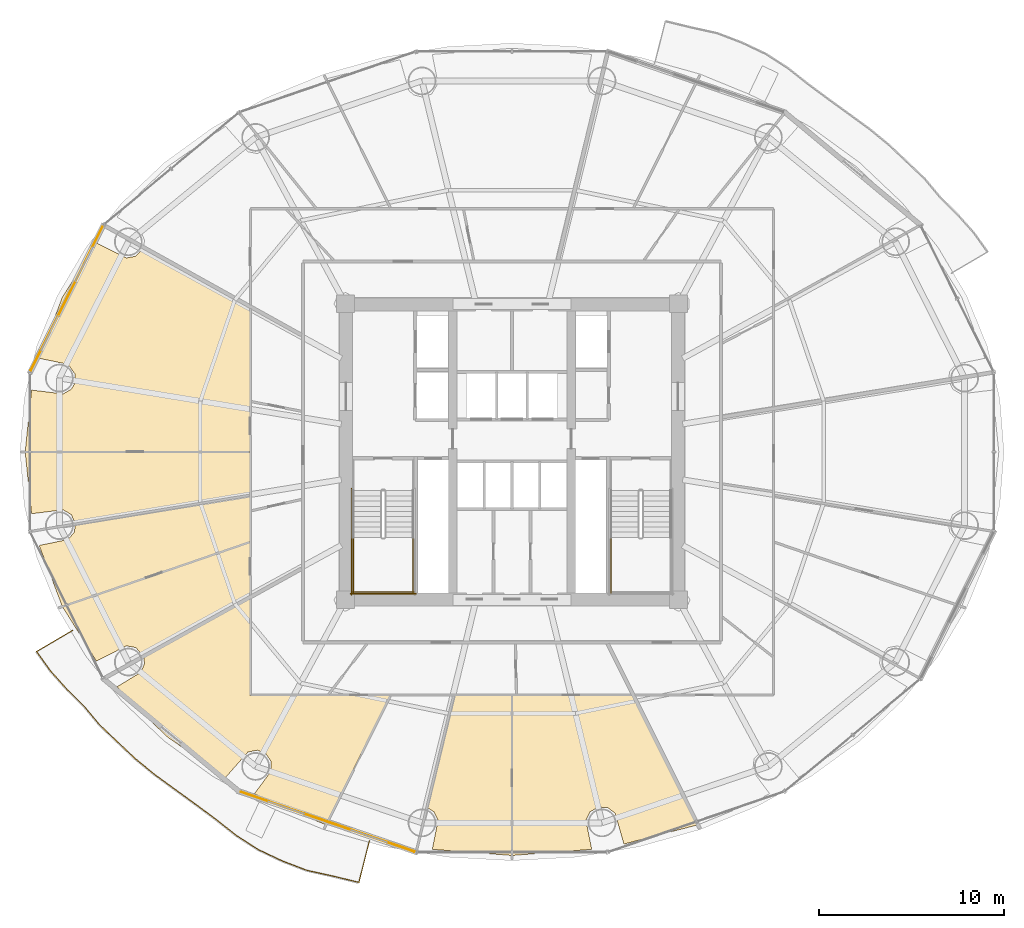
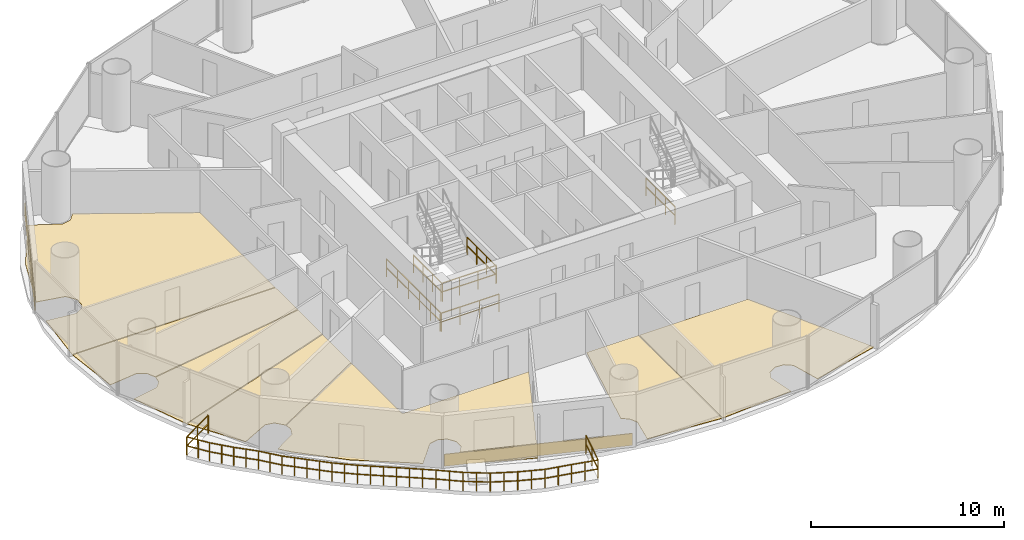
# One storey, part 25 of 28: 9 coverings, 7 railings.
"""IFC4 building model written with IfcOpenShell, lengths in metres."""

import ifcopenshell
import ifcopenshell.guid

model = None  # the IFC model being written
_history = None  # IfcOwnerHistory: only IFC2X3 demands one
_inside = {}  # id of a spatial element -> (the spatial element, [elements in it])
_under = {}  # id of a project, library or spatial element -> (it, [spatial elements below it])
_declared = {}  # id of a project -> (the project, [libraries it declares])
_typed = {}  # id of a type object -> (the type object, [elements of that type])
_made_of = {}  # id of a material, layer set ... -> (it, [elements and type objects made of it])


def new_model(schema):
    """Start an empty IFC model of exactly this schema.

    Asked for "IFC4X3", IfcOpenShell would pick the latest addendum, in which some entities
    have other attributes; the version numbers below select the first issue.
    IFC2X3 requires an IfcOwnerHistory on every rooted entity: one is made here for all.
    """
    global model, _history
    if schema == "IFC4X3":
        model = ifcopenshell.file(schema_version=(4, 3, 0, 0))
    else:
        model = ifcopenshell.file(schema=schema)
    _inside.clear()
    _under.clear()
    _declared.clear()
    _typed.clear()
    _made_of.clear()
    _history = None
    if model.schema == "IFC2X3":
        org = make("IfcOrganization", Name="unknown")
        user = make(
            "IfcPersonAndOrganization",
            ThePerson=make("IfcPerson", FamilyName="unknown"),
            TheOrganization=org,
        )
        app = make(
            "IfcApplication",
            ApplicationDeveloper=org,
            Version="unknown",
            ApplicationFullName="unknown",
            ApplicationIdentifier="unknown",
        )
        _history = make(
            "IfcOwnerHistory",
            OwningUser=user,
            OwningApplication=app,
            ChangeAction="ADDED",
            CreationDate=0,
        )
    return model


def make(cls, **values):
    """One entity of the class cls with the attributes given. An attribute that is None is left unset."""
    return model.create_entity(
        cls, **{name: value for name, value in values.items() if value is not None}
    )


def rooted(cls, **values):
    """An entity with a GlobalId (a new one), such as an element, a storey or a relation."""
    return make(cls, GlobalId=ifcopenshell.guid.new(), OwnerHistory=_history, **values)


def si_unit(unit_type, name, prefix=None):
    """IfcSIUnit, for example si_unit("LENGTHUNIT", "METRE", prefix="MILLI")."""
    return make("IfcSIUnit", UnitType=unit_type, Prefix=prefix, Name=name)


def assignment(units):
    """IfcUnitAssignment: the units of a project."""
    return None if units is None else make("IfcUnitAssignment", Units=units)


def point(xyz):
    """IfcCartesianPoint."""
    return None if xyz is None else make("IfcCartesianPoint", Coordinates=xyz)


def direction(xyz):
    """IfcDirection."""
    return None if xyz is None else make("IfcDirection", DirectionRatios=xyz)


def frame(location, z_axis=None, x_axis=None):
    """IfcAxis2Placement3D, a coordinate frame: its origin and axes. An axis left out is left unset."""
    return make(
        "IfcAxis2Placement3D",
        Location=point(location),
        Axis=direction(z_axis),
        RefDirection=direction(x_axis),
    )


def frame_2d(location, x_axis=None):
    """IfcAxis2Placement2D, a coordinate frame in the plane: its origin and x axis."""
    return make(
        "IfcAxis2Placement2D", Location=point(location), RefDirection=direction(x_axis)
    )


def origin():
    """The frame at (0, 0, 0) with its axes left unset."""
    return frame((0.0, 0.0, 0.0))


def origin_2d():
    """The frame at (0, 0) in the plane with its x axis left unset."""
    return frame_2d((0.0, 0.0))


def place(relative_to, where):
    """IfcLocalPlacement: puts the frame where relative to a parent placement (None: the world)."""
    return make(
        "IfcLocalPlacement", PlacementRelTo=relative_to, RelativePlacement=where
    )


def context(
    kind, dimensions, precision=None, world=None, true_north=None, identifier=None
):
    """IfcGeometricRepresentationContext, for example the 3D "Model" context."""
    return make(
        "IfcGeometricRepresentationContext",
        ContextIdentifier=identifier,
        ContextType=kind,
        CoordinateSpaceDimension=dimensions,
        Precision=precision,
        WorldCoordinateSystem=world,
        TrueNorth=true_north,
    )


def subcontext(parent, identifier, kind, view, scale=None):
    """IfcGeometricRepresentationSubContext, for example "Body" below "Model"."""
    return make(
        "IfcGeometricRepresentationSubContext",
        ContextIdentifier=identifier,
        ContextType=kind,
        ParentContext=parent,
        TargetScale=scale,
        TargetView=view,
    )


def project(units=None, contexts=None):
    """IfcProject with its units and contexts."""
    return rooted(
        "IfcProject",
        Name="project",
        RepresentationContexts=contexts,
        UnitsInContext=assignment(units),
    )


def spatial(cls, under=None, at=None, **own):
    """A site, building, storey or space (cls), placed at a placement, below another one or the project."""
    s = rooted(cls, ObjectPlacement=at, **own)
    if under is not None:
        _under.setdefault(under.id(), (under, []))[1].append(s)
    return s


def polyline(points):
    """IfcPolyline through the points."""
    return make("IfcPolyline", Points=[point(p) for p in points])


def profile(cls, at=None, kind="AREA", **sizes):
    """A parametric profile (cls). Its sizes go by their IFC names, for example OverallWidth=200.0."""
    return make(cls, ProfileType=kind, Position=at, **sizes)


def rectangle(**sizes):
    """IfcRectangleProfileDef."""
    return profile("IfcRectangleProfileDef", **sizes)


def outline(outer, holes=None, kind="AREA"):
    """IfcArbitraryClosedProfileDef: a profile drawn as a closed curve; with holes, ...WithVoids."""
    if holes is None:
        return make("IfcArbitraryClosedProfileDef", ProfileType=kind, OuterCurve=outer)
    return make(
        "IfcArbitraryProfileDefWithVoids",
        ProfileType=kind,
        OuterCurve=outer,
        InnerCurves=holes,
    )


def extrude(swept, where, along, depth):
    """IfcExtrudedAreaSolid: the profile swept, set in the frame where, extruded along a direction by depth."""
    return make(
        "IfcExtrudedAreaSolid",
        SweptArea=swept,
        Position=where,
        ExtrudedDirection=direction(along),
        Depth=depth,
    )


def shape(context_of_items, identifier, shape_type, items):
    """IfcShapeRepresentation: the items that make up one representation, for example the "Body"."""
    return make(
        "IfcShapeRepresentation",
        ContextOfItems=context_of_items,
        RepresentationIdentifier=identifier,
        RepresentationType=shape_type,
        Items=items,
    )


def source(mapping_origin, context_of_items, identifier, shape_type, items):
    """IfcRepresentationMap: a shape defined once, which mapped items show again and again."""
    return make(
        "IfcRepresentationMap",
        MappingOrigin=mapping_origin,
        MappedRepresentation=shape(context_of_items, identifier, shape_type, items),
    )


def transform(
    local_origin,
    x_axis=None,
    y_axis=None,
    z_axis=None,
    scale=None,
    scale2=None,
    scale3=None,
    uniform=True,
):
    """IfcCartesianTransformationOperator3D, or its non-uniform kind. x_axis, y_axis, z_axis: its Axis1, 2, 3."""
    if uniform:
        return make(
            "IfcCartesianTransformationOperator3D",
            Axis1=direction(x_axis),
            Axis2=direction(y_axis),
            LocalOrigin=point(local_origin),
            Scale=scale,
            Axis3=direction(z_axis),
        )
    return make(
        "IfcCartesianTransformationOperator3DnonUniform",
        Axis1=direction(x_axis),
        Axis2=direction(y_axis),
        LocalOrigin=point(local_origin),
        Scale=scale,
        Axis3=direction(z_axis),
        Scale2=scale2,
        Scale3=scale3,
    )


def mapped(mapping_source, mapping_target):
    """IfcMappedItem: shows the shape of a source again, moved by a transform."""
    return make(
        "IfcMappedItem", MappingSource=mapping_source, MappingTarget=mapping_target
    )


def material(Name=None, Category=None):
    """IfcMaterial."""
    return make("IfcMaterial", Name=Name, Category=Category)


def layer(
    of_material, thickness, ventilated=None, Name=None, Category=None, Priority=None
):
    """IfcMaterialLayer: one layer of a wall or slab, of a material (None: an air gap)."""
    return make(
        "IfcMaterialLayer",
        Material=of_material,
        LayerThickness=thickness,
        IsVentilated=ventilated,
        Name=Name,
        Category=Category,
        Priority=Priority,
    )


def layer_set(layers, Name=None):
    """IfcMaterialLayerSet."""
    return make("IfcMaterialLayerSet", MaterialLayers=layers, LayerSetName=Name)


def made_of(thing, what):
    """Note that an element or type object is made of a material, layer set ...; save() writes the relation."""
    if what is not None:
        _made_of.setdefault(what.id(), (what, []))[1].append(thing)
    return thing


def type_object(cls, material=None, **own):
    """A type object (cls), such as IfcWallType, which elements share."""
    return made_of(rooted(cls, **own), material)


def element(
    cls,
    number,
    at=None,
    inside=None,
    cuts=None,
    type_object=None,
    material=None,
    context=None,
    identifier="Body",
    shape_type=None,
    held_by="IfcProductDefinitionShape",
    body=None,
    shapes=None,
    **own,
):
    """One element of the class cls, such as IfcWall. Its Tag is "e" and its number.

    at: its placement. inside: the storey or other place that contains it. cuts: it is an
    opening in that element (IfcRelVoidsElement). A single representation is given by context,
    identifier, shape_type and body (its items); several are given by shapes. held_by: the class
    of the entity that holds the representations. save() writes the other relations.
    """
    e = rooted(cls, Tag="e%d" % number, ObjectPlacement=at, **own)
    if body is not None:
        shapes = [shape(context, identifier, shape_type, body)]
    if shapes is not None:
        e.Representation = make(held_by, Representations=shapes)
    if inside is not None:
        _inside.setdefault(inside.id(), (inside, []))[1].append(e)
    if cuts is not None:
        rooted(
            "IfcRelVoidsElement", RelatingBuildingElement=cuts, RelatedOpeningElement=e
        )
    if type_object is not None:
        _typed.setdefault(type_object.id(), (type_object, []))[1].append(e)
    return made_of(e, material)


def aggregate(whole, parts):
    """IfcRelAggregates: a whole, such as a stair, and the parts it consists of."""
    return rooted("IfcRelAggregates", RelatingObject=whole, RelatedObjects=parts)


def save(model, path):
    """Write the relations noted so far, then the file.

    IfcRelAggregates (storeys below a building ...), IfcRelContainedInSpatialStructure (elements
    in a storey), IfcRelDefinesByType, IfcRelAssociatesMaterial and IfcRelDeclares: one each for
    every whole, place, type object, material and project.
    """
    for whole, parts in _under.values():
        aggregate(whole, parts)
    for where, things in _inside.values():
        rooted(
            "IfcRelContainedInSpatialStructure",
            RelatedElements=things,
            RelatingStructure=where,
        )
    for kind, things in _typed.values():
        rooted("IfcRelDefinesByType", RelatedObjects=things, RelatingType=kind)
    for what, things in _made_of.values():
        rooted("IfcRelAssociatesMaterial", RelatedObjects=things, RelatingMaterial=what)
    for by, libraries in _declared.values():
        rooted("IfcRelDeclares", RelatingContext=by, RelatedDefinitions=libraries)
    model.write(path)


model = new_model("IFC4")

# Units and contexts
model_context = context("Model", 3, precision=1e-05, world=origin(), true_north=direction((-0.2419218956, 0.970295726276)))
body_context = subcontext(model_context, "Body", "Model", "MODEL_VIEW")
ifc_project = project(units=[si_unit("LENGTHUNIT", "METRE"), si_unit("AREAUNIT", "SQUARE_METRE"), si_unit("VOLUMEUNIT", "CUBIC_METRE"), si_unit("PLANEANGLEUNIT", "RADIAN"), si_unit("MASSUNIT", "GRAM", prefix="KILO")], contexts=[model_context])

# Site, building, storey
site_placement = place(None, origin())
site = spatial("IfcSite", under=ifc_project, at=site_placement, CompositionType="ELEMENT")
building_placement = place(site_placement, origin())
building = spatial("IfcBuilding", under=site, at=building_placement, Name="Cobrevalo Terracotta Tower", CompositionType="ELEMENT")
storey_placement = place(building_placement, frame((0.0, 0.0, 105.0)))
storey = spatial("IfcBuildingStorey", under=building, at=storey_placement, Name="L27", CompositionType="ELEMENT", Elevation=105.0)

# Railing
ifc_material_1 = material(Name="Laminated structural glass and stainless steel", Category="steel")
railing_type_1 = type_object("IfcRailingType", Name="Balcony lobe structural glass & terracotta-cap balustrade 1180 mm", PredefinedType="BALUSTRADE", material=ifc_material_1)
railing_1_placement = place(storey_placement, frame((14.238037109375, 17.147216796875, 0.0)))
element("IfcRailing", 1, at=railing_1_placement, inside=storey, type_object=railing_type_1, Name="L27 spiralling balcony lobe balustrade 2", PredefinedType="BALUSTRADE", context=body_context, shape_type="SweptSolid", body=[
    extrude(rectangle(XDim=0.048095703125, YDim=0.048095703125, at=origin_2d()), frame((0.0, 0.0, 1.15576171875), z_axis=(-0.861973214584, -0.506953821703, 0.0), x_axis=(0.506953821703, -0.861973214584, 0.0)), (0.0, 0.0, 1.0), 2.2529296875),
    extrude(rectangle(XDim=0.048095703125, YDim=0.048095703125, at=origin_2d()), frame((0.0, 0.0, 0.58984375), z_axis=(-0.861973214584, -0.506953821703, 0.0), x_axis=(0.506953821703, -0.861973214584, 0.0)), (0.0, 0.0, 1.0), 2.2529296875),
    extrude(rectangle(XDim=0.048095703125, YDim=0.048095703125, at=origin_2d()), frame((-1.94189453125, -1.14208984375, 1.15576171875), z_axis=(0.583469967791, -0.812134715849, 0.0), x_axis=(0.812134715849, 0.583469967791, 0.0)), (0.0, 0.0, 1.0), 1.302490234375),
    extrude(rectangle(XDim=0.048095703125, YDim=0.048095703125, at=origin_2d()), frame((-1.94189453125, -1.14208984375, 0.58984375), z_axis=(0.583469967791, -0.812134715849, 0.0), x_axis=(0.812134715849, 0.583469967791, 0.0)), (0.0, 0.0, 1.0), 1.302490234375),
    extrude(rectangle(XDim=0.048095703125, YDim=0.048095703125, at=origin_2d()), frame((-1.181884765625, -2.199951171875, 1.15576171875), z_axis=(0.666952197862, -0.745100507158, 0.0), x_axis=(0.745100507158, 0.666952197862, 0.0)), (0.0, 0.0, 1.0), 1.315185546875),
    extrude(rectangle(XDim=0.048095703125, YDim=0.048095703125, at=origin_2d()), frame((-1.181884765625, -2.199951171875, 0.58984375), z_axis=(0.666952197862, -0.745100507158, 0.0), x_axis=(0.745100507158, 0.666952197862, 0.0)), (0.0, 0.0, 1.0), 1.315185546875),
    extrude(rectangle(XDim=0.048095703125, YDim=0.048095703125, at=origin_2d()), frame((-0.3046875, -3.179931640625, 1.15576171875), z_axis=(0.711169450861, -0.703020634236, 0.0), x_axis=(0.703020634236, 0.711169450861, 0.0)), (0.0, 0.0, 1.0), 1.318359375),
    extrude(rectangle(XDim=0.048095703125, YDim=0.048095703125, at=origin_2d()), frame((-0.3046875, -3.179931640625, 0.58984375), z_axis=(0.711169450861, -0.703020634236, 0.0), x_axis=(0.703020634236, 0.711169450861, 0.0)), (0.0, 0.0, 1.0), 1.318359375),
    extrude(rectangle(XDim=0.048095703125, YDim=0.048095703125, at=origin_2d()), frame((0.6328125, -4.106689453125, 1.15576171875), z_axis=(0.640221203475, -0.768190608261, 0.0), x_axis=(0.768190608261, 0.640221203475, 0.0)), (0.0, 0.0, 1.0), 1.304931640625),
    extrude(rectangle(XDim=0.048095703125, YDim=0.048095703125, at=origin_2d()), frame((0.6328125, -4.106689453125, 0.58984375), z_axis=(0.640221203475, -0.768190608261, 0.0), x_axis=(0.768190608261, 0.640221203475, 0.0)), (0.0, 0.0, 1.0), 1.304931640625),
    extrude(rectangle(XDim=0.048095703125, YDim=0.048095703125, at=origin_2d()), frame((1.46826171875, -5.109130859375, 1.15576171875), z_axis=(0.724499960222, -0.689274841872, 0.0), x_axis=(0.689274841872, 0.724499960222, 0.0)), (0.0, 0.0, 1.0), 1.330810546875),
    extrude(rectangle(XDim=0.048095703125, YDim=0.048095703125, at=origin_2d()), frame((1.46826171875, -5.109130859375, 0.58984375), z_axis=(0.724499960222, -0.689274841872, 0.0), x_axis=(0.689274841872, 0.724499960222, 0.0)), (0.0, 0.0, 1.0), 1.330810546875),
    extrude(rectangle(XDim=0.048095703125, YDim=0.048095703125, at=origin_2d()), frame((2.432373046875, -6.0263671875, 1.15576171875), z_axis=(0.727120159513, -0.686510213784, 0.0), x_axis=(0.686510213784, 0.727120159513, 0.0)), (0.0, 0.0, 1.0), 1.32861328125),
    extrude(rectangle(XDim=0.048095703125, YDim=0.048095703125, at=origin_2d()), frame((2.432373046875, -6.0263671875, 0.58984375), z_axis=(0.727120159513, -0.686510213784, 0.0), x_axis=(0.686510213784, 0.727120159513, 0.0)), (0.0, 0.0, 1.0), 1.32861328125),
    extrude(rectangle(XDim=0.048095703125, YDim=0.048095703125, at=origin_2d()), frame((3.3984375, -6.9384765625, 1.15576171875), z_axis=(0.773640823062, -0.63362439733, 0.0), x_axis=(0.63362439733, 0.773640823062, 0.0)), (0.0, 0.0, 1.0), 1.3408203125),
    extrude(rectangle(XDim=0.048095703125, YDim=0.048095703125, at=origin_2d()), frame((3.3984375, -6.9384765625, 0.58984375), z_axis=(0.773640823062, -0.63362439733, 0.0), x_axis=(0.63362439733, 0.773640823062, 0.0)), (0.0, 0.0, 1.0), 1.3408203125),
    extrude(rectangle(XDim=0.048095703125, YDim=0.048095703125, at=origin_2d()), frame((4.435791015625, -7.7880859375, 1.15576171875), z_axis=(0.808096849531, -0.589049642881, 0.0), x_axis=(0.589049642881, 0.808096849531, 0.0)), (0.0, 0.0, 1.0), 1.355224609375),
    extrude(rectangle(XDim=0.048095703125, YDim=0.048095703125, at=origin_2d()), frame((4.435791015625, -7.7880859375, 0.58984375), z_axis=(0.808096849531, -0.589049642881, 0.0), x_axis=(0.589049642881, 0.808096849531, 0.0)), (0.0, 0.0, 1.0), 1.355224609375),
    extrude(rectangle(XDim=0.048095703125, YDim=0.048095703125, at=origin_2d()), frame((5.531005859375, -8.58642578125, 1.15576171875), z_axis=(0.809912566274, -0.586550624406, 0.0), x_axis=(0.586550624406, 0.809912566274, 0.0)), (0.0, 0.0, 1.0), 1.353271484375),
    extrude(rectangle(XDim=0.048095703125, YDim=0.048095703125, at=origin_2d()), frame((5.531005859375, -8.58642578125, 0.58984375), z_axis=(0.809912566274, -0.586550624406, 0.0), x_axis=(0.586550624406, 0.809912566274, 0.0)), (0.0, 0.0, 1.0), 1.353271484375),
    extrude(rectangle(XDim=0.048095703125, YDim=0.048095703125, at=origin_2d()), frame((6.626953125, -9.380126953125, 1.15576171875), z_axis=(0.804198055031, -0.594361412176, 0.0), x_axis=(0.594361412176, 0.804198055031, 0.0)), (0.0, 0.0, 1.0), 1.38916015625),
    extrude(rectangle(XDim=0.048095703125, YDim=0.048095703125, at=origin_2d()), frame((6.626953125, -9.380126953125, 0.58984375), z_axis=(0.804198055031, -0.594361412176, 0.0), x_axis=(0.594361412176, 0.804198055031, 0.0)), (0.0, 0.0, 1.0), 1.38916015625),
    extrude(rectangle(XDim=0.048095703125, YDim=0.048095703125, at=origin_2d()), frame((7.744140625, -10.205810546875, 1.15576171875), z_axis=(0.784311984552, -0.620366593949, 0.0), x_axis=(0.620366593949, 0.784311984552, 0.0)), (0.0, 0.0, 1.0), 1.413330078125),
    extrude(rectangle(XDim=0.048095703125, YDim=0.048095703125, at=origin_2d()), frame((7.744140625, -10.205810546875, 0.58984375), z_axis=(0.784311984552, -0.620366593949, 0.0), x_axis=(0.620366593949, 0.784311984552, 0.0)), (0.0, 0.0, 1.0), 1.413330078125),
    extrude(rectangle(XDim=0.048095703125, YDim=0.048095703125, at=origin_2d()), frame((8.8525390625, -11.08251953125, 1.15576171875), z_axis=(0.840887702157, -0.54120963809, 0.0), x_axis=(0.54120963809, 0.840887702157, 0.0)), (0.0, 0.0, 1.0), 1.419189453125),
    extrude(rectangle(XDim=0.048095703125, YDim=0.048095703125, at=origin_2d()), frame((8.8525390625, -11.08251953125, 0.58984375), z_axis=(0.840887702157, -0.54120963809, 0.0), x_axis=(0.54120963809, 0.840887702157, 0.0)), (0.0, 0.0, 1.0), 1.419189453125),
    extrude(rectangle(XDim=0.048095703125, YDim=0.048095703125, at=origin_2d()), frame((10.0458984375, -11.8505859375, 1.15576171875), z_axis=(0.903883829137, -0.427778007177, 0.0), x_axis=(0.427778007177, 0.903883829137, 0.0)), (0.0, 0.0, 1.0), 1.4296875),
    extrude(rectangle(XDim=0.048095703125, YDim=0.048095703125, at=origin_2d()), frame((10.0458984375, -11.8505859375, 0.58984375), z_axis=(0.903883829137, -0.427778007177, 0.0), x_axis=(0.427778007177, 0.903883829137, 0.0)), (0.0, 0.0, 1.0), 1.4296875),
    extrude(rectangle(XDim=0.048095703125, YDim=0.048095703125, at=origin_2d()), frame((11.338134765625, -12.462158203125, 1.15576171875), z_axis=(0.934132353658, -0.356926807412, 0.0), x_axis=(0.356926807412, 0.934132353658, 0.0)), (0.0, 0.0, 1.0), 1.427490234375),
    extrude(rectangle(XDim=0.048095703125, YDim=0.048095703125, at=origin_2d()), frame((11.338134765625, -12.462158203125, 0.58984375), z_axis=(0.934132353658, -0.356926807412, 0.0), x_axis=(0.356926807412, 0.934132353658, 0.0)), (0.0, 0.0, 1.0), 1.427490234375),
    extrude(rectangle(XDim=0.048095703125, YDim=0.048095703125, at=origin_2d()), frame((12.671630859375, -12.9716796875, 1.15576171875), z_axis=(0.976550905647, -0.215286619835, 0.0), x_axis=(0.215286619835, 0.976550905647, 0.0)), (0.0, 0.0, 1.0), 1.447021484375),
    extrude(rectangle(XDim=0.048095703125, YDim=0.048095703125, at=origin_2d()), frame((12.671630859375, -12.9716796875, 0.58984375), z_axis=(0.976550905647, -0.215286619835, 0.0), x_axis=(0.215286619835, 0.976550905647, 0.0)), (0.0, 0.0, 1.0), 1.447021484375),
    extrude(rectangle(XDim=0.048095703125, YDim=0.048095703125, at=origin_2d()), frame((14.084716796875, -13.283203125, 1.15576171875), z_axis=(0.971950022136, -0.23518748791, 0.0), x_axis=(0.23518748791, 0.971950022136, 0.0)), (0.0, 0.0, 1.0), 1.439697265625),
    extrude(rectangle(XDim=0.048095703125, YDim=0.048095703125, at=origin_2d()), frame((14.084716796875, -13.283203125, 0.58984375), z_axis=(0.971950022136, -0.23518748791, 0.0), x_axis=(0.23518748791, 0.971950022136, 0.0)), (0.0, 0.0, 1.0), 1.439697265625),
    extrude(rectangle(XDim=0.048095703125, YDim=0.048095703125, at=origin_2d()), frame((15.484130859375, -13.621826171875, 1.15576171875), z_axis=(0.24569801481, 0.969346421832, 0.0), x_axis=(-0.969346421832, 0.24569801481, 0.0)), (0.0, 0.0, 1.0), 2.32421875),
    extrude(rectangle(XDim=0.048095703125, YDim=0.048095703125, at=origin_2d()), frame((15.484130859375, -13.621826171875, 0.58984375), z_axis=(0.24569801481, 0.969346421832, 0.0), x_axis=(-0.969346421832, 0.24569801481, 0.0)), (0.0, 0.0, 1.0), 2.32421875),
    extrude(rectangle(XDim=0.0419921875, YDim=0.0419921875, at=origin_2d()), origin(), (0.0, 0.0, 1.0), 1.1318359375),
    extrude(rectangle(XDim=0.0419921875, YDim=0.0419921875, at=origin_2d()), frame((-0.970947265625, -0.571044921875, 0.0)), (0.0, 0.0, 1.0), 1.1318359375),
    extrude(rectangle(XDim=0.0419921875, YDim=0.0419921875, at=origin_2d()), frame((-1.94189453125, -1.14208984375, 0.0)), (0.0, 0.0, 1.0), 1.1318359375),
    extrude(rectangle(XDim=0.0419921875, YDim=0.0419921875, at=origin_2d()), frame((-1.56201171875, -1.6708984375, 0.0)), (0.0, 0.0, 1.0), 1.1318359375),
    extrude(rectangle(XDim=0.0419921875, YDim=0.0419921875, at=origin_2d()), frame((-1.181884765625, -2.199951171875, 0.0)), (0.0, 0.0, 1.0), 1.1318359375),
    extrude(rectangle(XDim=0.0419921875, YDim=0.0419921875, at=origin_2d()), frame((-0.7431640625, -2.68994140625, 0.0)), (0.0, 0.0, 1.0), 1.1318359375),
    extrude(rectangle(XDim=0.0419921875, YDim=0.0419921875, at=origin_2d()), frame((-0.3046875, -3.179931640625, 0.0)), (0.0, 0.0, 1.0), 1.1318359375),
    extrude(rectangle(XDim=0.0419921875, YDim=0.0419921875, at=origin_2d()), frame((0.1640625, -3.643310546875, 0.0)), (0.0, 0.0, 1.0), 1.1318359375),
    extrude(rectangle(XDim=0.0419921875, YDim=0.0419921875, at=origin_2d()), frame((0.6328125, -4.106689453125, 0.0)), (0.0, 0.0, 1.0), 1.1318359375),
    extrude(rectangle(XDim=0.0419921875, YDim=0.0419921875, at=origin_2d()), frame((1.050537109375, -4.60791015625, 0.0)), (0.0, 0.0, 1.0), 1.1318359375),
    extrude(rectangle(XDim=0.0419921875, YDim=0.0419921875, at=origin_2d()), frame((1.46826171875, -5.109130859375, 0.0)), (0.0, 0.0, 1.0), 1.1318359375),
    extrude(rectangle(XDim=0.0419921875, YDim=0.0419921875, at=origin_2d()), frame((1.9501953125, -5.56787109375, 0.0)), (0.0, 0.0, 1.0), 1.1318359375),
    extrude(rectangle(XDim=0.0419921875, YDim=0.0419921875, at=origin_2d()), frame((2.432373046875, -6.0263671875, 0.0)), (0.0, 0.0, 1.0), 1.1318359375),
    extrude(rectangle(XDim=0.0419921875, YDim=0.0419921875, at=origin_2d()), frame((2.91552734375, -6.482421875, 0.0)), (0.0, 0.0, 1.0), 1.1318359375),
    extrude(rectangle(XDim=0.0419921875, YDim=0.0419921875, at=origin_2d()), frame((3.3984375, -6.9384765625, 0.0)), (0.0, 0.0, 1.0), 1.1318359375),
    extrude(rectangle(XDim=0.0419921875, YDim=0.0419921875, at=origin_2d()), frame((3.9169921875, -7.36328125, 0.0)), (0.0, 0.0, 1.0), 1.1318359375),
    extrude(rectangle(XDim=0.0419921875, YDim=0.0419921875, at=origin_2d()), frame((4.435791015625, -7.7880859375, 0.0)), (0.0, 0.0, 1.0), 1.1318359375),
    extrude(rectangle(XDim=0.0419921875, YDim=0.0419921875, at=origin_2d()), frame((4.9833984375, -8.187255859375, 0.0)), (0.0, 0.0, 1.0), 1.1318359375),
    extrude(rectangle(XDim=0.0419921875, YDim=0.0419921875, at=origin_2d()), frame((5.531005859375, -8.58642578125, 0.0)), (0.0, 0.0, 1.0), 1.1318359375),
    extrude(rectangle(XDim=0.0419921875, YDim=0.0419921875, at=origin_2d()), frame((6.0791015625, -8.9833984375, 0.0)), (0.0, 0.0, 1.0), 1.1318359375),
    extrude(rectangle(XDim=0.0419921875, YDim=0.0419921875, at=origin_2d()), frame((6.626953125, -9.380126953125, 0.0)), (0.0, 0.0, 1.0), 1.1318359375),
    extrude(rectangle(XDim=0.0419921875, YDim=0.0419921875, at=origin_2d()), frame((7.185546875, -9.79296875, 0.0)), (0.0, 0.0, 1.0), 1.1318359375),
    extrude(rectangle(XDim=0.0419921875, YDim=0.0419921875, at=origin_2d()), frame((7.744140625, -10.205810546875, 0.0)), (0.0, 0.0, 1.0), 1.1318359375),
    extrude(rectangle(XDim=0.0419921875, YDim=0.0419921875, at=origin_2d()), frame((8.29833984375, -10.64404296875, 0.0)), (0.0, 0.0, 1.0), 1.1318359375),
    extrude(rectangle(XDim=0.0419921875, YDim=0.0419921875, at=origin_2d()), frame((8.8525390625, -11.08251953125, 0.0)), (0.0, 0.0, 1.0), 1.1318359375),
    extrude(rectangle(XDim=0.0419921875, YDim=0.0419921875, at=origin_2d()), frame((9.44921875, -11.466552734375, 0.0)), (0.0, 0.0, 1.0), 1.1318359375),
    extrude(rectangle(XDim=0.0419921875, YDim=0.0419921875, at=origin_2d()), frame((10.0458984375, -11.8505859375, 0.0)), (0.0, 0.0, 1.0), 1.1318359375),
    extrude(rectangle(XDim=0.0419921875, YDim=0.0419921875, at=origin_2d()), frame((10.69189453125, -12.15625, 0.0)), (0.0, 0.0, 1.0), 1.1318359375),
    extrude(rectangle(XDim=0.0419921875, YDim=0.0419921875, at=origin_2d()), frame((11.338134765625, -12.462158203125, 0.0)), (0.0, 0.0, 1.0), 1.1318359375),
    extrude(rectangle(XDim=0.0419921875, YDim=0.0419921875, at=origin_2d()), frame((12.0048828125, -12.716796875, 0.0)), (0.0, 0.0, 1.0), 1.1318359375),
    extrude(rectangle(XDim=0.0419921875, YDim=0.0419921875, at=origin_2d()), frame((12.671630859375, -12.9716796875, 0.0)), (0.0, 0.0, 1.0), 1.1318359375),
    extrude(rectangle(XDim=0.0419921875, YDim=0.0419921875, at=origin_2d()), frame((13.378173828125, -13.12744140625, 0.0)), (0.0, 0.0, 1.0), 1.1318359375),
    extrude(rectangle(XDim=0.0419921875, YDim=0.0419921875, at=origin_2d()), frame((14.084716796875, -13.283203125, 0.0)), (0.0, 0.0, 1.0), 1.1318359375),
    extrude(rectangle(XDim=0.0419921875, YDim=0.0419921875, at=origin_2d()), frame((14.784423828125, -13.45263671875, 0.0)), (0.0, 0.0, 1.0), 1.1318359375),
    extrude(rectangle(XDim=0.0419921875, YDim=0.0419921875, at=origin_2d()), frame((15.484130859375, -13.621826171875, 0.0)), (0.0, 0.0, 1.0), 1.1318359375),
    extrude(rectangle(XDim=0.0419921875, YDim=0.0419921875, at=origin_2d()), frame((15.76953125, -12.495361328125, 0.0)), (0.0, 0.0, 1.0), 1.1318359375),
    extrude(rectangle(XDim=0.0419921875, YDim=0.0419921875, at=origin_2d()), frame((16.05517578125, -11.368896484375, 0.0)), (0.0, 0.0, 1.0), 1.1318359375),
])

# Coverings
ifc_material_2 = material(Name="Engineered Brazilian hardwood flooring", Category="wood")
ifc_layer_1 = layer(ifc_material_2, 0.028076171875)
ifc_layer_set_1 = layer_set([ifc_layer_1], Name="Engineered Brazilian hardwood flooring")
covering_type_1 = type_object("IfcCoveringType", Name="Engineered Hardwood Suite Flooring 28", PredefinedType="FLOORING", material=ifc_layer_set_1)
covering_1_placement = place(storey_placement, origin())
element("IfcCovering", 2, at=covering_1_placement, inside=storey, type_object=covering_type_1, Name="Flat L27C Penthouse Living and Dining Room floor finish", PredefinedType="FLOORING", context=body_context, shape_type="SweptSolid", body=[
    extrude(outline(polyline([(12.024169921875, 30.143310546875), (13.73095703125, 29.932861328125), (14.1728515625, 30.189208984375), (14.353759765625, 30.481201171875), (14.38623046875, 30.9912109375), (13.99267578125, 31.537841796875), (12.435791015625, 31.859619140625), (13.682861328125, 35.14892578125), (15.525146484375, 38.10546875), (17.15966796875, 37.286376953125), (17.661865234375, 37.381103515625), (18.0703125, 37.8408203125), (23.8349609375, 34.640625), (23.8349609375, 26.820068359375), (11.681640625, 26.820068359375), (12.024169921875, 30.143310546875)])), origin(), (0.0, 0.0, 1.0), 0.030029296875),
])
covering_2_placement = place(storey_placement, origin())
element("IfcCovering", 3, at=covering_2_placement, inside=storey, type_object=covering_type_1, Name="Flat L27C Master Bedroom floor finish", PredefinedType="FLOORING", context=body_context, shape_type="SweptSolid", body=[
    extrude(outline(polyline([(11.681640625, 26.780029296875), (23.8349609375, 26.780029296875), (23.8349609375, 24.479248046875), (14.39697265625, 22.919677734375), (14.1728515625, 23.41064453125), (13.73095703125, 23.6669921875), (12.024169921875, 23.45654296875), (11.681640625, 26.780029296875)])), origin(), (0.0, 0.0, 1.0), 0.030029296875),
])
covering_3_placement = place(storey_placement, origin())
element("IfcCovering", 4, at=covering_3_placement, inside=storey, type_object=covering_type_1, Name="Flat L27C Principal Guest Bedroom floor finish", PredefinedType="FLOORING", context=body_context, shape_type="SweptSolid", body=[
    extrude(outline(polyline([(12.435791015625, 21.740478515625), (13.99267578125, 22.06201171875), (14.330322265625, 22.445556640625), (14.402587890625, 22.8798828125), (23.8349609375, 24.438720703125), (23.8349609375, 21.9462890625), (13.6845703125, 18.453369140625), (12.435791015625, 21.740478515625)])), origin(), (0.0, 0.0, 1.0), 0.030029296875),
])
covering_4_placement = place(storey_placement, origin())
element("IfcCovering", 5, at=covering_4_placement, inside=storey, type_object=covering_type_1, Name="Flat L27C Penthouse Family Lounge floor finish", PredefinedType="FLOORING", context=body_context, shape_type="SweptSolid", body=[
    extrude(outline(polyline([(18.0703125, 15.759033203125), (17.661865234375, 16.218994140625), (17.15966796875, 16.3134765625), (15.525146484375, 15.49462890625), (13.703125, 18.417236328125), (23.8349609375, 21.904052734375), (23.8349609375, 18.959228515625), (18.0703125, 15.759033203125)])), origin(), (0.0, 0.0, 1.0), 0.030029296875),
])
covering_5_placement = place(storey_placement, origin())
element("IfcCovering", 6, at=covering_5_placement, inside=storey, type_object=covering_type_1, Name="Flat L27D Living and Dining Room floor finish", PredefinedType="FLOORING", context=body_context, shape_type="SweptSolid", body=[
    extrude(outline(polyline([(24.838623046875, 7.904052734375), (24.07568359375, 8.32666015625), (24.9814453125, 9.543701171875), (24.97998046875, 10.0546875), (24.694580078125, 10.478515625), (24.221923828125, 10.672607421875), (23.72119140625, 10.5712890625), (22.511474609375, 9.193359375), (19.3876953125, 11.372314453125), (17.117919921875, 13.518310546875), (16.64697265625, 14.102294921875), (17.94091796875, 14.88720703125), (18.131591796875, 15.361328125), (18.083740234375, 15.720703125), (23.8349609375, 18.91357421875), (23.8349609375, 13.635009765625), (31.4140625, 13.635009765625), (27.92822265625, 6.64306640625), (24.838623046875, 7.904052734375)])), origin(), (0.0, 0.0, 1.0), 0.030029296875),
])
covering_6_placement = place(storey_placement, origin())
element("IfcCovering", 7, at=covering_6_placement, inside=storey, type_object=covering_type_1, Name="Flat L27D Principal Guest Bedroom floor finish", PredefinedType="FLOORING", context=body_context, shape_type="SweptSolid", body=[
    extrude(outline(polyline([(33.6904296875, 5.310791015625), (34.002197265625, 6.87841796875), (33.7802734375, 7.3388671875), (33.4169921875, 7.5712890625), (34.86865234375, 13.635009765625), (37.97998046875, 13.635009765625), (37.97998046875, 4.981201171875), (33.6904296875, 5.310791015625)])), origin(), (0.0, 0.0, 1.0), 0.030029296875),
])
covering_7_placement = place(storey_placement, origin())
element("IfcCovering", 8, at=covering_7_placement, inside=storey, type_object=covering_type_1, Name="Flat L27D Penthouse Family Lounge floor finish", PredefinedType="FLOORING", context=body_context, shape_type="SweptSolid", body=[
    extrude(outline(polyline([(38.02001953125, 13.635009765625), (44.541259765625, 13.635009765625), (48.033447265625, 6.630126953125), (44.05078125, 5.59814453125), (43.578125, 7.261962890625), (43.170166015625, 7.5693359375), (42.659912109375, 7.59814453125), (42.2197265625, 7.3388671875), (41.997802734375, 6.87841796875), (42.3095703125, 5.310791015625), (38.02001953125, 4.981201171875), (38.02001953125, 13.635009765625)])), origin(), (0.0, 0.0, 1.0), 0.030029296875),
])

# Railings
ifc_material_3 = material(Name="Painted galvanized steel", Category="steel")
railing_type_2 = type_object("IfcRailingType", Name="Stair Well Guard Balustrade 1150", PredefinedType="GUARDRAIL", material=ifc_material_3)
for number, where, name in (
    (9, (29.425048828125, 22.179931640625, 1.800048828125), "L27 ST-1 stair guard 3"),
    (10, (32.64501953125, 22.179931640625, 1.800048828125), "L27 ST-1 stair guard 4"),
):
    element("IfcRailing", number, at=place(storey_placement, frame(where)), inside=storey, type_object=railing_type_2, Name=name, PredefinedType="GUARDRAIL", context=body_context, shape_type="SweptSolid", body=[
        extrude(rectangle(XDim=0.048095703125, YDim=0.048095703125, at=origin_2d()), frame((0.0, 0.0, 1.1259765625), z_axis=(0.0, -1.0, 0.0), x_axis=(1.0, 0.0, 0.0)), (0.0, 0.0, 1.0), 3.0048828125),
        extrude(rectangle(XDim=0.048095703125, YDim=0.048095703125, at=origin_2d()), frame((0.0, 0.0, 0.574951171875), z_axis=(0.0, -1.0, 0.0), x_axis=(1.0, 0.0, 0.0)), (0.0, 0.0, 1.0), 3.0048828125),
        extrude(rectangle(XDim=0.0419921875, YDim=0.0419921875, at=origin_2d()), origin(), (0.0, 0.0, 1.0), 1.101806640625),
        extrude(rectangle(XDim=0.0419921875, YDim=0.0419921875, at=origin_2d()), frame((0.0, -1.001708984375, 0.0)), (0.0, 0.0, 1.0), 1.101806640625),
        extrude(rectangle(XDim=0.0419921875, YDim=0.0419921875, at=origin_2d()), frame((0.0, -2.003173828125, 0.0)), (0.0, 0.0, 1.0), 1.101806640625),
        extrude(rectangle(XDim=0.0419921875, YDim=0.0419921875, at=origin_2d()), frame((0.0, -3.0048828125, 0.0)), (0.0, 0.0, 1.0), 1.101806640625),
    ])
railing_2_placement = place(storey_placement, frame((29.375, 19.22509765625, 1.800048828125)))
element("IfcRailing", 11, at=railing_2_placement, inside=storey, type_object=railing_type_2, Name="L27 ST-1 stair guard 5", PredefinedType="GUARDRAIL", context=body_context, shape_type="SweptSolid", body=[
    extrude(rectangle(XDim=0.048095703125, YDim=0.048095703125, at=origin_2d()), frame((0.0, 0.0, 1.1259765625), z_axis=(1.0, 0.0, 0.0), x_axis=(0.0, 1.0, 0.0)), (0.0, 0.0, 1.0), 3.320068359375),
    extrude(rectangle(XDim=0.048095703125, YDim=0.048095703125, at=origin_2d()), frame((0.0, 0.0, 0.574951171875), z_axis=(1.0, 0.0, 0.0), x_axis=(0.0, 1.0, 0.0)), (0.0, 0.0, 1.0), 3.320068359375),
    extrude(rectangle(XDim=0.0419921875, YDim=0.0419921875, at=origin_2d()), origin(), (0.0, 0.0, 1.0), 1.101806640625),
    extrude(rectangle(XDim=0.0419921875, YDim=0.0419921875, at=origin_2d()), frame((1.106689453125, 0.0, 0.0)), (0.0, 0.0, 1.0), 1.101806640625),
    extrude(rectangle(XDim=0.0419921875, YDim=0.0419921875, at=origin_2d()), frame((2.21337890625, 0.0, 0.0)), (0.0, 0.0, 1.0), 1.101806640625),
    extrude(rectangle(XDim=0.0419921875, YDim=0.0419921875, at=origin_2d()), frame((3.320068359375, 0.0, 0.0)), (0.0, 0.0, 1.0), 1.101806640625),
])
railing_3_placement = place(storey_placement, frame((29.324951171875, 24.800048828125, 0.0)))
element("IfcRailing", 12, at=railing_3_placement, inside=storey, type_object=railing_type_2, Name="L27 ST-1 stair guard 10", PredefinedType="GUARDRAIL", context=body_context, shape_type="SweptSolid", body=[
    extrude(rectangle(XDim=0.048095703125, YDim=0.048095703125, at=origin_2d()), frame((0.0, 0.0, 1.1259765625), z_axis=(0.0, -1.0, 0.0), x_axis=(1.0, 0.0, 0.0)), (0.0, 0.0, 1.0), 5.72509765625),
    extrude(rectangle(XDim=0.048095703125, YDim=0.048095703125, at=origin_2d()), frame((0.0, 0.0, 0.574951171875), z_axis=(0.0, -1.0, 0.0), x_axis=(1.0, 0.0, 0.0)), (0.0, 0.0, 1.0), 5.72509765625),
    extrude(rectangle(XDim=0.0419921875, YDim=0.0419921875, at=origin_2d()), origin(), (0.0, 0.0, 1.0), 1.101806640625),
    extrude(rectangle(XDim=0.0419921875, YDim=0.0419921875, at=origin_2d()), frame((0.0, -1.14501953125, 0.0)), (0.0, 0.0, 1.0), 1.101806640625),
    extrude(rectangle(XDim=0.0419921875, YDim=0.0419921875, at=origin_2d()), frame((0.0, -2.2900390625, 0.0)), (0.0, 0.0, 1.0), 1.101806640625),
    extrude(rectangle(XDim=0.0419921875, YDim=0.0419921875, at=origin_2d()), frame((0.0, -3.43505859375, 0.0)), (0.0, 0.0, 1.0), 1.101806640625),
    extrude(rectangle(XDim=0.0419921875, YDim=0.0419921875, at=origin_2d()), frame((0.0, -4.580078125, 0.0)), (0.0, 0.0, 1.0), 1.101806640625),
    extrude(rectangle(XDim=0.0419921875, YDim=0.0419921875, at=origin_2d()), frame((0.0, -5.72509765625, 0.0)), (0.0, 0.0, 1.0), 1.101806640625),
])
railing_4_placement = place(storey_placement, frame((29.27490234375, 19.125, 0.0)))
element("IfcRailing", 13, at=railing_4_placement, inside=storey, type_object=railing_type_2, Name="L27 ST-1 stair guard 12", PredefinedType="GUARDRAIL", context=body_context, shape_type="SweptSolid", body=[
    extrude(rectangle(XDim=0.048095703125, YDim=0.048095703125, at=origin_2d()), frame((0.0, 0.0, 1.1259765625), z_axis=(1.0, 0.0, 0.0), x_axis=(0.0, 1.0, 0.0)), (0.0, 0.0, 1.0), 3.52001953125),
    extrude(rectangle(XDim=0.048095703125, YDim=0.048095703125, at=origin_2d()), frame((0.0, 0.0, 0.574951171875), z_axis=(1.0, 0.0, 0.0), x_axis=(0.0, 1.0, 0.0)), (0.0, 0.0, 1.0), 3.52001953125),
    extrude(rectangle(XDim=0.0419921875, YDim=0.0419921875, at=origin_2d()), origin(), (0.0, 0.0, 1.0), 1.101806640625),
    extrude(rectangle(XDim=0.0419921875, YDim=0.0419921875, at=origin_2d()), frame((1.17333984375, 0.0, 0.0)), (0.0, 0.0, 1.0), 1.101806640625),
    extrude(rectangle(XDim=0.0419921875, YDim=0.0419921875, at=origin_2d()), frame((2.3466796875, 0.0, 0.0)), (0.0, 0.0, 1.0), 1.101806640625),
    extrude(rectangle(XDim=0.0419921875, YDim=0.0419921875, at=origin_2d()), frame((3.52001953125, 0.0, 0.0)), (0.0, 0.0, 1.0), 1.101806640625),
])
railing_5_placement = place(storey_placement, frame((43.35498046875, 22.179931640625, 1.800048828125)))
element("IfcRailing", 14, at=railing_5_placement, inside=storey, type_object=railing_type_2, Name="L27 ST-2 stair guard 3", PredefinedType="GUARDRAIL", context=body_context, shape_type="SweptSolid", body=[
    extrude(rectangle(XDim=0.048095703125, YDim=0.048095703125, at=origin_2d()), frame((0.0, 0.0, 1.1259765625), z_axis=(0.0, -1.0, 0.0), x_axis=(1.0, 0.0, 0.0)), (0.0, 0.0, 1.0), 3.0048828125),
    extrude(rectangle(XDim=0.048095703125, YDim=0.048095703125, at=origin_2d()), frame((0.0, 0.0, 0.574951171875), z_axis=(0.0, -1.0, 0.0), x_axis=(1.0, 0.0, 0.0)), (0.0, 0.0, 1.0), 3.0048828125),
    extrude(rectangle(XDim=0.0419921875, YDim=0.0419921875, at=origin_2d()), origin(), (0.0, 0.0, 1.0), 1.101806640625),
    extrude(rectangle(XDim=0.0419921875, YDim=0.0419921875, at=origin_2d()), frame((0.0, -1.001708984375, 0.0)), (0.0, 0.0, 1.0), 1.101806640625),
    extrude(rectangle(XDim=0.0419921875, YDim=0.0419921875, at=origin_2d()), frame((0.0, -2.003173828125, 0.0)), (0.0, 0.0, 1.0), 1.101806640625),
    extrude(rectangle(XDim=0.0419921875, YDim=0.0419921875, at=origin_2d()), frame((0.0, -3.0048828125, 0.0)), (0.0, 0.0, 1.0), 1.101806640625),
])

# Coverings
ifc_material_4 = material(Name="Glazed terracotta facade cladding tile", Category="masonry")
ifc_layer_2 = layer(ifc_material_4, 0.044921875)
ifc_layer_set_2 = layer_set([ifc_layer_2], Name="Glazed terracotta facade cladding tile")
covering_type_2 = type_object("IfcCoveringType", Name="Architectural terracotta rainscreen spandrel cladding 45 mm", PredefinedType="CLADDING", material=ifc_layer_set_2)
shared_shape_1 = source(origin(), body_context, "Body", "SweptSolid", [
    extrude(rectangle(XDim=8.690185546875, YDim=0.044921875, at=origin_2d()), origin(), (0.0, 0.0, 1.0), 0.760009765625),
])
covering_8_placement = place(storey_placement, frame((13.924072265625, 35.08349609375, 0.0400390625), z_axis=(0.0, 0.0, 1.0), x_axis=(-0.446261852127, -0.894902430065, 0.0)))
element("IfcCovering", 15, at=covering_8_placement, inside=storey, type_object=covering_type_2, Name="L27 terracotta spandrel cladding S07", PredefinedType="CLADDING", context=body_context, shape_type="MappedRepresentation", body=[
    mapped(shared_shape_1, transform((0.0, 0.0, 0.0), scale=1.0)),
])
shared_shape_2 = source(origin(), body_context, "Body", "SweptSolid", [
    extrude(rectangle(XDim=9.928955078125, YDim=0.044921875, at=origin_2d()), origin(), (0.0, 0.0, 1.0), 0.760009765625),
])
covering_9_placement = place(storey_placement, frame((28.027587890625, 6.8017578125, 0.0400390625), z_axis=(0.0, 0.0, 1.0), x_axis=(0.945596395206, -0.325342062104, 0.0)))
element("IfcCovering", 16, at=covering_9_placement, inside=storey, type_object=covering_type_2, Name="L27 terracotta spandrel cladding S11", PredefinedType="CLADDING", context=body_context, shape_type="MappedRepresentation", body=[
    mapped(shared_shape_2, transform((0.0, 0.0, 0.0), scale=1.0)),
])

save(model, "model.ifc")
